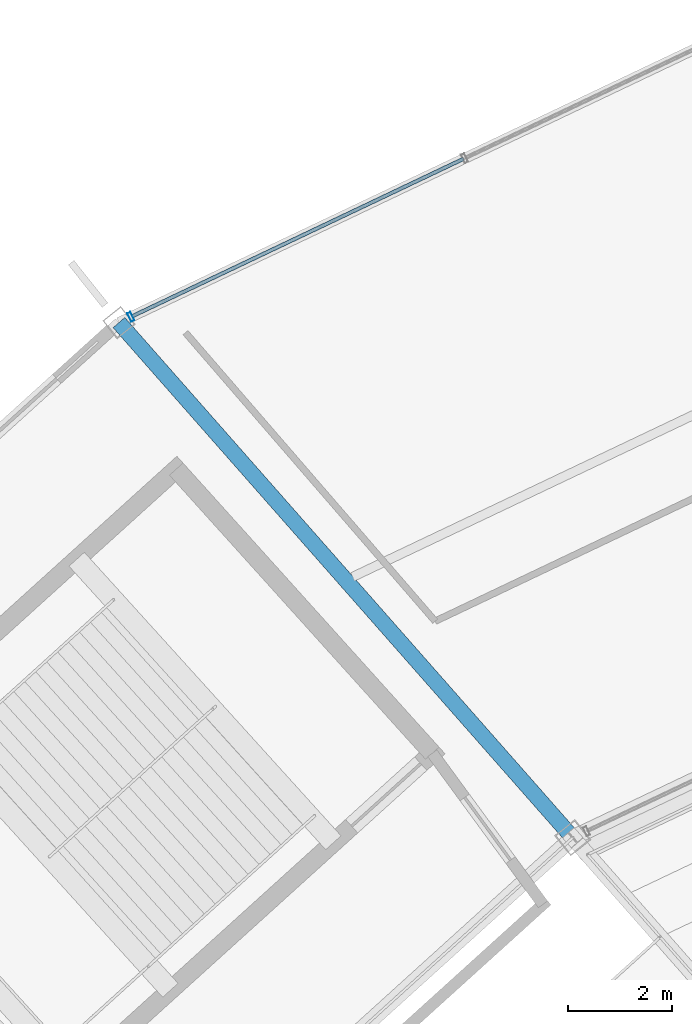
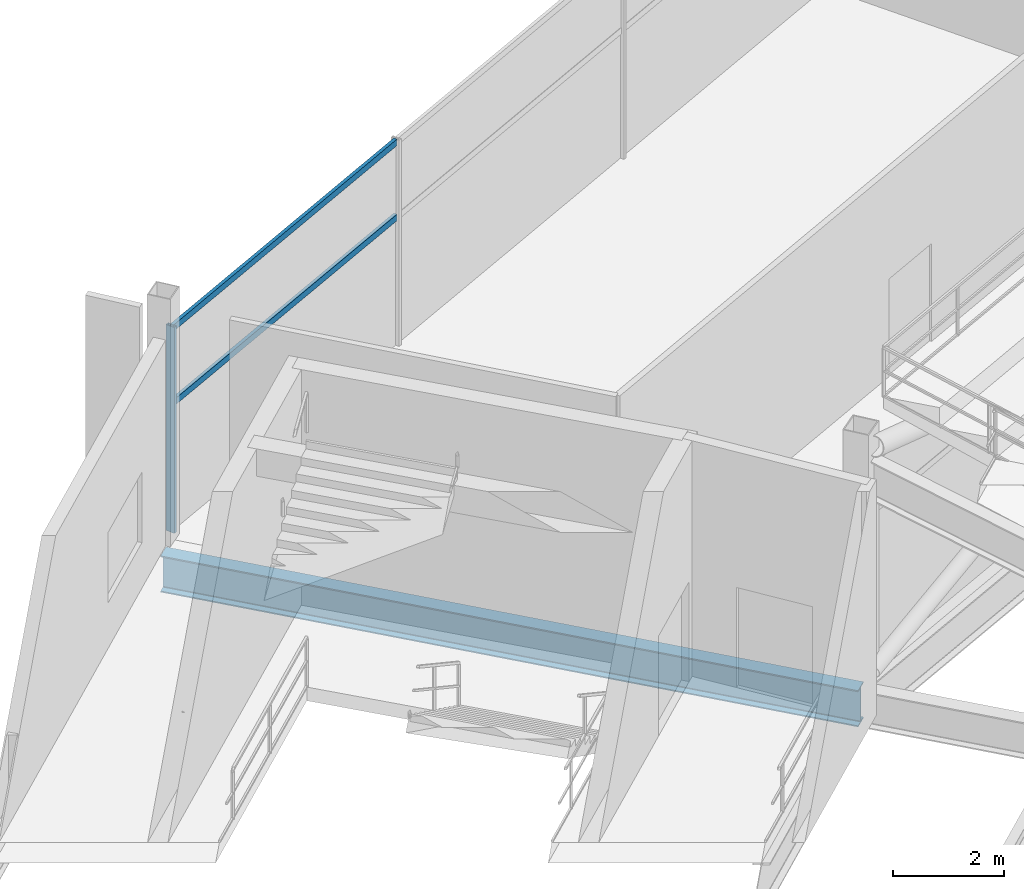
# One storey, part 88 of 186: 3 members, 1 beam, 1 element without a shape of its own.
"""IFC4 building model written with IfcOpenShell, lengths in metres."""

from ifc_helpers import new_model, si_unit, direction, frame, origin, origin_2d, place, context, subcontext, project, spatial, hollow_rectangle, i_section, extrude, material, layer, layer_set, material_profile, profile_set, type_object, element, aggregate, save


model = new_model("IFC4")

# Units and contexts
model_context = context("Model", 3, precision=1e-05, world=origin(), true_north=direction((0.0, 1.0)))
body_context = subcontext(model_context, "Body", "Model", "MODEL_VIEW")
ifc_project = project(units=[si_unit("LENGTHUNIT", "METRE"), si_unit("AREAUNIT", "SQUARE_METRE"), si_unit("VOLUMEUNIT", "CUBIC_METRE"), si_unit("PLANEANGLEUNIT", "RADIAN"), si_unit("MASSUNIT", "GRAM", prefix="KILO")], contexts=[model_context])

# Site, building, storey
site_placement = place(None, origin())
site = spatial("IfcSite", under=ifc_project, at=site_placement, CompositionType="ELEMENT")
building_placement = place(site_placement, origin())
building = spatial("IfcBuilding", under=site, at=building_placement, Name="Kazemori Nagisa Stadium", CompositionType="ELEMENT")
storey_placement = place(building_placement, frame((0.0, 0.0, 20.39990234375)))
storey = spatial("IfcBuildingStorey", under=building, at=storey_placement, Name="L04", CompositionType="ELEMENT", Elevation=20.39990234375)

# Beam
ifc_material_1 = material(Name="Steel SN490B", Category="steel")
ifc_material_profile_1 = material_profile(ifc_material_1, i_section(OverallWidth=0.300048828125, OverallDepth=0.800048828125, WebThickness=0.013916015625, FlangeThickness=0.02587890625, FilletRadius=0.01806640625, at=origin_2d()), Name="H-800x300x14x26")
ifc_profile_set_1 = profile_set([ifc_material_profile_1], Name="Steel SN490B")
beam_type = type_object("IfcBeamType", Name="Beam_BG-H800", PredefinedType="BEAM", material=ifc_profile_set_1)
beam_placement = place(storey_placement, frame((69.165771484375, 163.11083984375, -0.699951171875), z_axis=(-0.661019680997, 0.750368563664, 0.0), x_axis=(-0.750368563664, -0.661019680997, 0.0)))
element("IfcBeam", 1, at=beam_placement, inside=storey, type_object=beam_type, Name="Radial girder BG-H800 L04 R2-R3-11", PredefinedType="BEAM", context=body_context, shape_type="SweptSolid", body=[
    extrude(i_section(OverallWidth=0.300048828125, OverallDepth=0.800048828125, WebThickness=0.013916015625, FlangeThickness=0.02587890625, FilletRadius=0.01806640625, at=origin_2d()), origin(), (0.0, 0.0, 1.0), 13.2578125),
])

# Curtain wall, members
ifc_material_2 = material(Name="Anodised aluminium 6063-T5", Category="aluminium")
ifc_layer = layer(ifc_material_2, 0.179931640625, Name="Anodised aluminium 6063-T5", Category="aluminium")
ifc_layer_set = layer_set([ifc_layer], Name="Anodised aluminium 6063-T5")
curtain_wall_type = type_object("IfcCurtainWallType", Name="CW_L04R3_107", PredefinedType="USERDEFINED", material=ifc_layer_set)
curtain_wall_placement = place(storey_placement, origin())
curtain_wall = element("IfcCurtainWall", 2, at=curtain_wall_placement, inside=storey, type_object=curtain_wall_type, Name="Unitised curtain wall CW-L04R3-107 L04", ObjectType="UNITISED CURTAIN WALL", PredefinedType="USERDEFINED")
ifc_material_3 = material(Name="Aluminium 6063-T5 anodised", Category="aluminium")
ifc_material_profile_2 = material_profile(ifc_material_3, hollow_rectangle(XDim=0.070068359375, YDim=0.179931640625, WallThickness=0.00390625, at=origin_2d()), Name="ALU-MULL-70x180x4")
ifc_profile_set_2 = profile_set([ifc_material_profile_2], Name="Aluminium 6063-T5 anodised")
member_type_1 = type_object("IfcMemberType", Name="Mullion_M01", PredefinedType="MULLION", material=ifc_profile_set_2)
member_1_placement = place(storey_placement, frame((60.63232421875, 173.16845703125, 0.0), z_axis=(0.0, 0.0, 1.0), x_axis=(-0.903215892654, -0.429186499388, 0.0)))
member_1 = element("IfcMember", 3, at=member_1_placement, type_object=member_type_1, Name="Curtain wall mullion CW-L04R3-107-M4", PredefinedType="MULLION", context=body_context, shape_type="SweptSolid", body=[
    extrude(hollow_rectangle(XDim=0.070068359375, YDim=0.179931640625, WallThickness=0.00390625, at=origin_2d()), origin(), (0.0, 0.0, 1.0), 4.530029296875),
])
ifc_material_profile_3 = material_profile(ifc_material_3, hollow_rectangle(XDim=0.070068359375, YDim=0.139892578125, WallThickness=0.00390625, at=origin_2d()), Name="ALU-TRAN-70x140x4")
ifc_profile_set_3 = profile_set([ifc_material_profile_3], Name="Aluminium 6063-T5 anodised")
member_type_2 = type_object("IfcMemberType", Name="Transom_T01", PredefinedType="USERDEFINED", material=ifc_profile_set_3)
member_2_placement = place(storey_placement, frame((67.05859375, 176.221923828125, 2.80859375), z_axis=(-0.903221484367, -0.429174731523, 0.0), x_axis=(0.429174731523, -0.903221484367, 0.0)))
member_2 = element("IfcMember", 4, at=member_2_placement, type_object=member_type_2, Name="Curtain wall transom CW-L04R3-107-T3-mid", ObjectType="TRANSOM", PredefinedType="USERDEFINED", context=body_context, shape_type="SweptSolid", body=[
    extrude(hollow_rectangle(XDim=0.070068359375, YDim=0.139892578125, WallThickness=0.00390625, at=origin_2d()), origin(), (0.0, 0.0, 1.0), 7.0947265625),
])
member_3_placement = place(storey_placement, frame((67.05859375, 176.221923828125, 4.460205078125), z_axis=(-0.903221484367, -0.429174731523, 0.0), x_axis=(0.429174731523, -0.903221484367, 0.0)))
member_3 = element("IfcMember", 5, at=member_3_placement, type_object=member_type_2, Name="Curtain wall transom CW-L04R3-107-T3-head", ObjectType="TRANSOM", PredefinedType="USERDEFINED", context=body_context, shape_type="SweptSolid", body=[
    extrude(hollow_rectangle(XDim=0.070068359375, YDim=0.139892578125, WallThickness=0.00390625, at=origin_2d()), origin(), (0.0, 0.0, 1.0), 7.0947265625),
])
aggregate(curtain_wall, [member_1, member_2, member_3])

save(model, "model.ifc")
